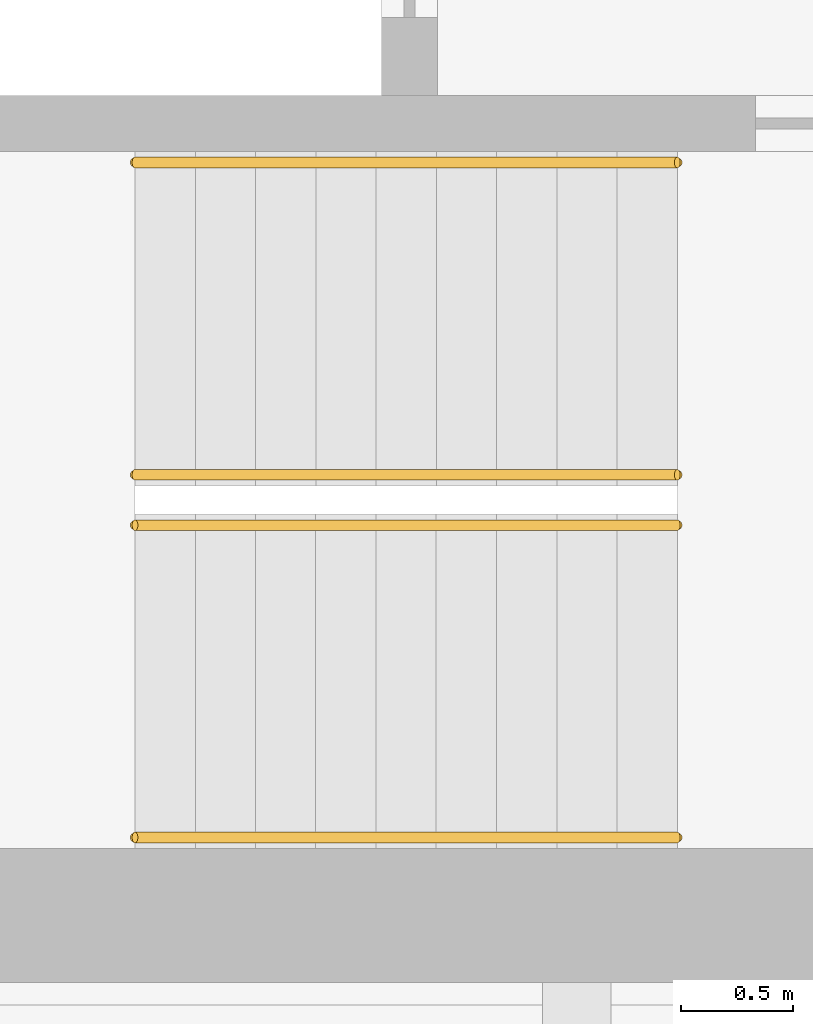
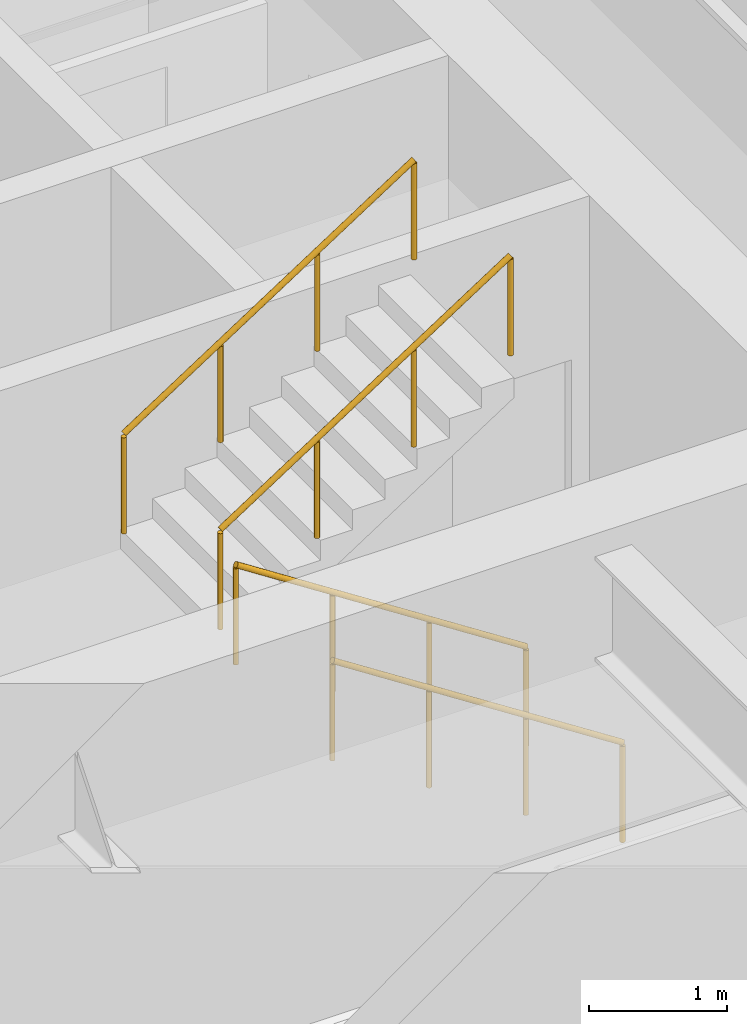
# One storey, part 16 of 20: 4 railings.
"""IFC4 building model written with IfcOpenShell, lengths in metres."""

from ifc_helpers import new_model, si_unit, direction, frame, origin, origin_2d, place, context, subcontext, project, spatial, circle, extrude, material, type_object, element, save


model = new_model("IFC4")

# Units and contexts
model_context = context("Model", 3, precision=1e-05, world=origin(), true_north=direction((0.0, 1.0)))
body_context = subcontext(model_context, "Body", "Model", "MODEL_VIEW")
ifc_project = project(units=[si_unit("LENGTHUNIT", "METRE"), si_unit("AREAUNIT", "SQUARE_METRE"), si_unit("VOLUMEUNIT", "CUBIC_METRE"), si_unit("PLANEANGLEUNIT", "RADIAN"), si_unit("MASSUNIT", "GRAM", prefix="KILO")], contexts=[model_context])

# Site, building, storey
site_placement = place(None, origin())
site = spatial("IfcSite", under=ifc_project, at=site_placement, CompositionType="ELEMENT")
building_placement = place(site_placement, origin())
building = spatial("IfcBuilding", under=site, at=building_placement, Name="Msasa Ring Tower", CompositionType="ELEMENT")
storey_placement = place(building_placement, frame((0.0, 0.0, 58.0)))
storey = spatial("IfcBuildingStorey", under=building, at=storey_placement, Name="L14", CompositionType="ELEMENT", Elevation=58.0)

# Railings
ifc_material = material(Name="Stainless steel", Category="steel")
railing_type = type_object("IfcRailingType", Name="HR1 HANDRAIL 900", PredefinedType="HANDRAIL", material=ifc_material)
for number, where, name in (
    (1, (-10.800048828125, -6.39990234375, 0.175048828125), "Handrail stair SWA L14 1"),
    (2, (-10.800048828125, -5.0, 0.175048828125), "Handrail stair SWA L14 2"),
):
    element("IfcRailing", number, at=place(storey_placement, frame(where)), inside=storey, type_object=railing_type, Name=name, PredefinedType="HANDRAIL", context=body_context, shape_type="SweptSolid", body=[
        extrude(circle(Radius=0.02392578125, at=origin_2d()), frame((0.0, 0.0, 0.8759765625), z_axis=(-0.839153699163, 0.0, 0.543894354798), x_axis=(0.0, -1.0, 0.0)), (0.0, 0.0, 1.0), 2.895751953125),
        extrude(circle(Radius=0.02099609375, at=origin_2d()), origin(), (0.0, 0.0, 1.0), 0.851806640625),
        extrude(circle(Radius=0.02099609375, at=origin_2d()), frame((-0.81005859375, 0.0, 0.52490234375)), (0.0, 0.0, 1.0), 0.851806640625),
        extrude(circle(Radius=0.02099609375, at=origin_2d()), frame((-1.619873046875, 0.0, 1.050048828125)), (0.0, 0.0, 1.0), 0.851806640625),
        extrude(circle(Radius=0.02099609375, at=origin_2d()), frame((-2.429931640625, 0.0, 1.574951171875)), (0.0, 0.0, 1.0), 0.851806640625),
    ])
for number, where, name in (
    (3, (-13.22998046875, -4.77490234375, 1.925048828125), "Handrail stair SWA L14 3"),
    (4, (-13.22998046875, -3.375, 1.925048828125), "Handrail stair SWA L14 4"),
):
    element("IfcRailing", number, at=place(storey_placement, frame(where)), inside=storey, type_object=railing_type, Name=name, PredefinedType="HANDRAIL", context=body_context, shape_type="SweptSolid", body=[
        extrude(circle(Radius=0.02392578125, at=origin_2d()), frame((0.0, 0.0, 0.8759765625), z_axis=(0.839153699163, 0.0, 0.543894354798), x_axis=(0.0, 1.0, 0.0)), (0.0, 0.0, 1.0), 2.895751953125),
        extrude(circle(Radius=0.02099609375, at=origin_2d()), origin(), (0.0, 0.0, 1.0), 0.851806640625),
        extrude(circle(Radius=0.02099609375, at=origin_2d()), frame((0.81005859375, 0.0, 0.52490234375)), (0.0, 0.0, 1.0), 0.851806640625),
        extrude(circle(Radius=0.02099609375, at=origin_2d()), frame((1.619873046875, 0.0, 1.050048828125)), (0.0, 0.0, 1.0), 0.851806640625),
        extrude(circle(Radius=0.02099609375, at=origin_2d()), frame((2.429931640625, 0.0, 1.574951171875)), (0.0, 0.0, 1.0), 0.851806640625),
    ])

save(model, "model.ifc")
